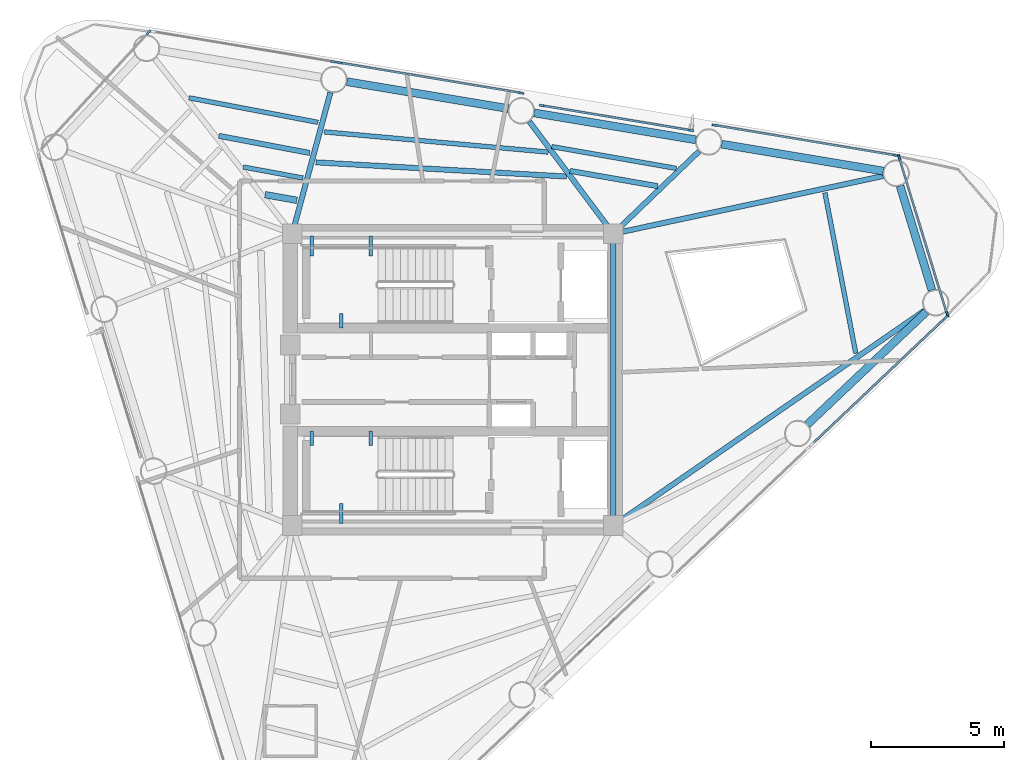
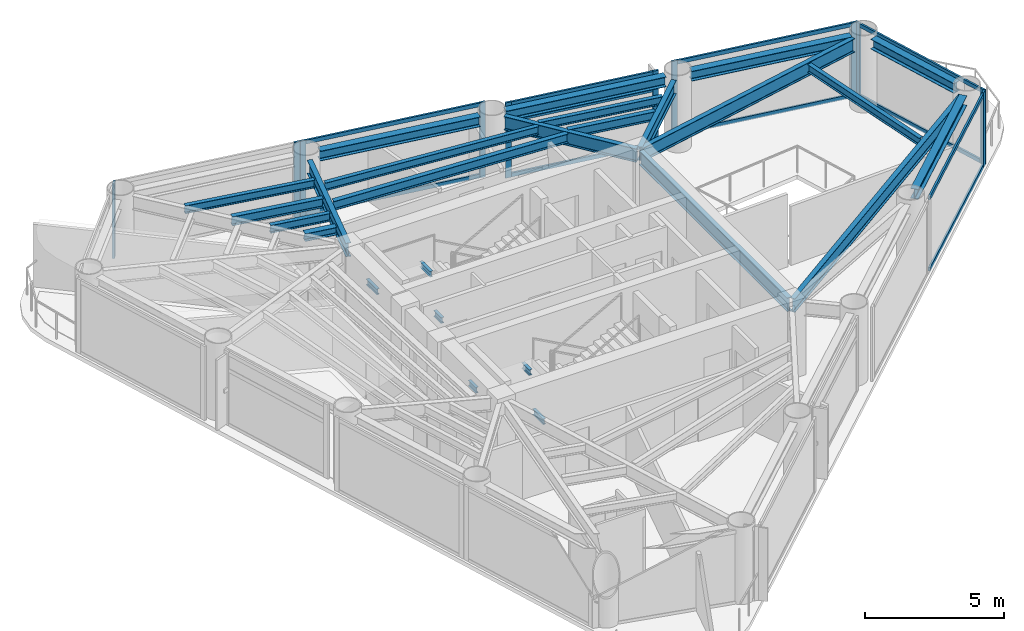
# One storey, part 3 of 8: 26 beams, 22 members, 7 elements without a shape of their own.
"""IFC4 building model written with IfcOpenShell, lengths in metres."""

from ifc_helpers import new_model, si_unit, direction, frame, origin, origin_2d, place, context, subcontext, project, spatial, rectangle, i_section, extrude, source, transform, mapped, material, layer, layer_set, material_profile, profile_set, type_object, element, aggregate, save


model = new_model("IFC4")

# Units and contexts
model_context = context("Model", 3, precision=1e-05, world=origin(), true_north=direction((0.0, 1.0)))
body_context = subcontext(model_context, "Body", "Model", "MODEL_VIEW")
ifc_project = project(units=[si_unit("LENGTHUNIT", "METRE"), si_unit("AREAUNIT", "SQUARE_METRE"), si_unit("VOLUMEUNIT", "CUBIC_METRE"), si_unit("PLANEANGLEUNIT", "RADIAN"), si_unit("MASSUNIT", "GRAM", prefix="KILO")], contexts=[model_context])

# Site, building, storey
site_placement = place(None, origin())
site = spatial("IfcSite", under=ifc_project, at=site_placement, CompositionType="ELEMENT")
building_placement = place(site_placement, origin())
building = spatial("IfcBuilding", under=site, at=building_placement, Name="Yunling Apex Tower", CompositionType="ELEMENT")
storey_placement = place(building_placement, frame((0.0, 0.0, 238.85009765625)))
storey = spatial("IfcBuildingStorey", under=building, at=storey_placement, Name="L58", CompositionType="ELEMENT", Elevation=238.85009765625)

# Beams
ifc_material_1 = material(Name="Steel Q355B", Category="steel")
ifc_material_profile_1 = material_profile(ifc_material_1, i_section(OverallWidth=0.125, OverallDepth=0.25, WebThickness=0.006103515625, FlangeThickness=0.009033203125, FilletRadius=0.011962890625, at=origin_2d()))
ifc_profile_set_1 = profile_set([ifc_material_profile_1], Name="Steel Q355B")
beam_type_1 = type_object("IfcBeamType", Name="BL-LNT-1", PredefinedType="LINTEL", material=ifc_profile_set_1)
shared_shape_1 = source(origin(), body_context, "Body", "SweptSolid", [
    extrude(i_section(OverallWidth=0.125, OverallDepth=0.25, WebThickness=0.006103515625, FlangeThickness=0.009033203125, FilletRadius=0.011962890625, at=origin_2d()), origin(), (0.0, 0.0, 1.0), 0.760009765625),
])
for number, where, z_axis, x_axis, name in (
    (1, (-5.320068359375, 5.419921875, 1.3798828125), (0.0, -1.0, 0.0), (1.0, 0.0, 0.0), "L58 ST-1 Landing Bearing Corbel 1-1"),
    (2, (-3.090087890625, 5.419921875, 1.3798828125), (0.0, -1.0, 0.0), (1.0, 0.0, 0.0), "L58 ST-1 Landing Bearing Corbel 1-2"),
    (3, (-4.205078125, -5.419921875, 1.3798828125), (0.0, 1.0, 0.0), (-1.0, 0.0, 0.0), "L58 ST-2 Landing Bearing Corbel 1-3"),
):
    element("IfcBeam", number, at=place(storey_placement, frame(where, z_axis=z_axis, x_axis=x_axis)), inside=storey, type_object=beam_type_1, Name=name, PredefinedType="LINTEL", context=body_context, shape_type="MappedRepresentation", body=[
        mapped(shared_shape_1, transform((0.0, 0.0, 0.0), scale=1.0)),
    ])
shared_shape_2 = source(origin(), body_context, "Body", "SweptSolid", [
    extrude(i_section(OverallWidth=0.125, OverallDepth=0.25, WebThickness=0.006103515625, FlangeThickness=0.009033203125, FilletRadius=0.011962890625, at=origin_2d()), origin(), (0.0, 0.0, 1.0), 0.550048828125),
])
for number, where, z_axis, x_axis, name in (
    (4, (-4.205078125, 1.93994140625, 1.3798828125), (0.0, 1.0, 0.0), (-1.0, 0.0, 0.0), "L58 ST-1 Landing Bearing Corbel 1-3"),
    (5, (-5.320068359375, -1.93994140625, 1.3798828125), (0.0, -1.0, 0.0), (1.0, 0.0, 0.0), "L58 ST-2 Landing Bearing Corbel 1-1"),
    (6, (-3.090087890625, -1.93994140625, 1.3798828125), (0.0, -1.0, 0.0), (1.0, 0.0, 0.0), "L58 ST-2 Landing Bearing Corbel 1-2"),
):
    element("IfcBeam", number, at=place(storey_placement, frame(where, z_axis=z_axis, x_axis=x_axis)), inside=storey, type_object=beam_type_1, Name=name, PredefinedType="LINTEL", context=body_context, shape_type="MappedRepresentation", body=[
        mapped(shared_shape_2, transform((0.0, 0.0, 0.0), scale=1.0)),
    ])
ifc_material_profile_2 = material_profile(ifc_material_1, i_section(OverallWidth=0.199951171875, OverallDepth=0.60009765625, WebThickness=0.010986328125, FlangeThickness=0.01708984375, FilletRadius=0.02197265625, at=origin_2d()))
ifc_profile_set_2 = profile_set([ifc_material_profile_2], Name="Steel Q355B")
beam_type_2 = type_object("IfcBeamType", Name="BG-PRI-5", PredefinedType="USERDEFINED", material=ifc_profile_set_2)
shared_shape_3 = source(origin(), body_context, "Body", "SweptSolid", [
    extrude(i_section(OverallWidth=0.199951171875, OverallDepth=0.60009765625, WebThickness=0.010986328125, FlangeThickness=0.01708984375, FilletRadius=0.02197265625, at=origin_2d()), origin(), (0.0, 0.0, 1.0), 10.7001953125),
])
beam_1_placement = place(storey_placement, frame((6.050048828125, -5.35009765625, 2.919921875), z_axis=(0.0, 1.0, 0.0), x_axis=(-1.0, 0.0, 0.0)))
element("IfcBeam", 7, at=beam_1_placement, inside=storey, type_object=beam_type_2, Name="L58 Core Ring Tie Beam 2", ObjectType="GIRDER", PredefinedType="USERDEFINED", context=body_context, shape_type="MappedRepresentation", body=[
    mapped(shared_shape_3, transform((0.0, 0.0, 0.0), scale=1.0)),
])
ifc_material_profile_3 = material_profile(ifc_material_1, i_section(OverallWidth=0.175048828125, OverallDepth=0.35009765625, WebThickness=0.007080078125, FlangeThickness=0.010986328125, FilletRadius=0.013916015625, at=origin_2d()))
ifc_profile_set_3 = profile_set([ifc_material_profile_3], Name="Steel Q355B")
beam_type_3 = type_object("IfcBeamType", Name="BJ-JST-1", PredefinedType="JOIST", material=ifc_profile_set_3)
shared_shape_4 = source(origin(), body_context, "Body", "SweptSolid", [
    extrude(i_section(OverallWidth=0.175048828125, OverallDepth=0.35009765625, WebThickness=0.007080078125, FlangeThickness=0.010986328125, FilletRadius=0.013916015625, at=origin_2d()), origin(), (0.0, 0.0, 1.0), 4.765869140625),
])
beam_2_placement = place(storey_placement, frame((8.42578125, 7.96142578125, 3.044921875), z_axis=(-0.985022420296, 0.17242630749, 0.0), x_axis=(-0.17242630749, -0.985022420296, 0.0)))
element("IfcBeam", 8, at=beam_2_placement, inside=storey, type_object=beam_type_3, Name="L58 Composite Floor Joist BJ1-7", PredefinedType="JOIST", context=body_context, shape_type="MappedRepresentation", body=[
    mapped(shared_shape_4, transform((0.0, 0.0, 0.0), scale=1.0)),
])
ifc_material_profile_4 = material_profile(ifc_material_1, i_section(OverallWidth=0.300048828125, OverallDepth=0.43994140625, WebThickness=0.010986328125, FlangeThickness=0.01806640625, FilletRadius=0.02197265625, at=origin_2d()))
ifc_profile_set_4 = profile_set([ifc_material_profile_4], Name="Steel Q355B")
beam_type_4 = type_object("IfcBeamType", Name="BP-SPN-3", PredefinedType="SPANDREL", material=ifc_profile_set_4)
shared_shape_5 = source(origin(), body_context, "Body", "SweptSolid", [
    extrude(i_section(OverallWidth=0.300048828125, OverallDepth=0.43994140625, WebThickness=0.010986328125, FlangeThickness=0.01806640625, FilletRadius=0.02197265625, at=origin_2d()), origin(), (0.0, 0.0, 1.0), 6.17333984375),
])
for number, where, z_axis, x_axis, name in (
    (9, (13.36572265625, -1.690185546875, 3.0), (0.725853952128, 0.687848849807, 0.0), (-0.687848849807, 0.725853952128, 0.0), "L58 Perimeter Spandrel Beam 4"),
    (10, (16.224853515625, 7.860595703125, 3.0), (-0.986400336233, 0.164360508275, 0.0), (-0.164360508275, -0.986400336233, 0.0), "L58 Perimeter Spandrel Beam 6"),
    (11, (9.160888671875, 9.03759765625, 3.0), (-0.986400336233, 0.164360508275, 0.0), (-0.164360508275, -0.986400336233, 0.0), "L58 Perimeter Spandrel Beam 7"),
    (12, (2.096923828125, 10.214599609375, 3.0), (-0.986393923832, 0.164398987305, 0.0), (-0.164398987305, -0.986393923832, 0.0), "L58 Perimeter Spandrel Beam 8"),
):
    element("IfcBeam", number, at=place(storey_placement, frame(where, z_axis=z_axis, x_axis=x_axis)), inside=storey, type_object=beam_type_4, Name=name, PredefinedType="SPANDREL", context=body_context, shape_type="MappedRepresentation", body=[
        mapped(shared_shape_5, transform((0.0, 0.0, 0.0), scale=1.0)),
    ])
shared_shape_6 = source(origin(), body_context, "Body", "SweptSolid", [
    extrude(i_section(OverallWidth=0.300048828125, OverallDepth=0.43994140625, WebThickness=0.010986328125, FlangeThickness=0.01806640625, FilletRadius=0.02197265625, at=origin_2d()), origin(), (0.0, 0.0, 1.0), 4.118408203125),
])
beam_3_placement = place(storey_placement, frame((18.060791015625, 3.368408203125, 3.0), z_axis=(-0.292369137572, 0.956305540816, 0.0), x_axis=(-0.956305540816, -0.292369137572, 0.0)))
element("IfcBeam", 13, at=beam_3_placement, inside=storey, type_object=beam_type_4, Name="L58 Perimeter Spandrel Beam 5", PredefinedType="SPANDREL", context=body_context, shape_type="MappedRepresentation", body=[
    mapped(shared_shape_6, transform((0.0, 0.0, 0.0), scale=1.0)),
])
shared_shape_7 = source(origin(), body_context, "Body", "SweptSolid", [
    extrude(i_section(OverallWidth=0.199951171875, OverallDepth=0.60009765625, WebThickness=0.010986328125, FlangeThickness=0.01708984375, FilletRadius=0.02197265625, at=origin_2d()), origin(), (0.0, 0.0, 1.0), 14.18505859375),
])
beam_4_placement = place(storey_placement, frame((17.787353515625, 2.607177734375, 2.919921875), z_axis=(-0.822805113414, -0.568323627294, 0.0), x_axis=(0.568323627294, -0.822805113414, 0.0)))
element("IfcBeam", 14, at=beam_4_placement, inside=storey, type_object=beam_type_2, Name="L58 Radial Primary Girder R05", ObjectType="GIRDER", PredefinedType="USERDEFINED", context=body_context, shape_type="MappedRepresentation", body=[
    mapped(shared_shape_7, transform((0.0, 0.0, 0.0), scale=1.0)),
])
shared_shape_8 = source(origin(), body_context, "Body", "SweptSolid", [
    extrude(i_section(OverallWidth=0.199951171875, OverallDepth=0.60009765625, WebThickness=0.010986328125, FlangeThickness=0.01708984375, FilletRadius=0.02197265625, at=origin_2d()), origin(), (0.0, 0.0, 1.0), 10.315185546875),
])
beam_5_placement = place(storey_placement, frame((16.21533203125, 7.673095703125, 2.919921875), z_axis=(-0.977902402009, -0.209061933755, 0.0), x_axis=(0.209061933755, -0.977902402009, 0.0)))
element("IfcBeam", 15, at=beam_5_placement, inside=storey, type_object=beam_type_2, Name="L58 Radial Primary Girder R06", ObjectType="GIRDER", PredefinedType="USERDEFINED", context=body_context, shape_type="MappedRepresentation", body=[
    mapped(shared_shape_8, transform((0.0, 0.0, 0.0), scale=1.0)),
])
shared_shape_9 = source(origin(), body_context, "Body", "SweptSolid", [
    extrude(i_section(OverallWidth=0.199951171875, OverallDepth=0.60009765625, WebThickness=0.010986328125, FlangeThickness=0.01708984375, FilletRadius=0.02197265625, at=origin_2d()), origin(), (0.0, 0.0, 1.0), 4.4013671875),
])
beam_6_placement = place(storey_placement, frame((9.28173828125, 8.6044921875, 2.919921875), z_axis=(-0.721164480273, -0.69276387925, 0.0), x_axis=(0.69276387925, -0.721164480273, 0.0)))
element("IfcBeam", 16, at=beam_6_placement, inside=storey, type_object=beam_type_2, Name="L58 Radial Primary Girder R07", ObjectType="GIRDER", PredefinedType="USERDEFINED", context=body_context, shape_type="MappedRepresentation", body=[
    mapped(shared_shape_9, transform((0.0, 0.0, 0.0), scale=1.0)),
])
shared_shape_10 = source(origin(), body_context, "Body", "SweptSolid", [
    extrude(i_section(OverallWidth=0.199951171875, OverallDepth=0.60009765625, WebThickness=0.010986328125, FlangeThickness=0.01708984375, FilletRadius=0.02197265625, at=origin_2d()), origin(), (0.0, 0.0, 1.0), 5.1982421875),
])
beam_7_placement = place(storey_placement, frame((2.888427734375, 9.726806640625, 2.919921875), z_axis=(0.598992593476, -0.800754564746, 0.0), x_axis=(0.800754564746, 0.598992593476, 0.0)))
element("IfcBeam", 17, at=beam_7_placement, inside=storey, type_object=beam_type_2, Name="L58 Radial Primary Girder R08", ObjectType="GIRDER", PredefinedType="USERDEFINED", context=body_context, shape_type="MappedRepresentation", body=[
    mapped(shared_shape_10, transform((0.0, 0.0, 0.0), scale=1.0)),
])
shared_shape_11 = source(origin(), body_context, "Body", "SweptSolid", [
    extrude(i_section(OverallWidth=0.199951171875, OverallDepth=0.60009765625, WebThickness=0.010986328125, FlangeThickness=0.01708984375, FilletRadius=0.02197265625, at=origin_2d()), origin(), (0.0, 0.0, 1.0), 5.43115234375),
])
beam_8_placement = place(storey_placement, frame((-4.6123046875, 10.8203125, 2.919921875), z_axis=(-0.26085354679, -0.965378385467, 0.0), x_axis=(0.965378385467, -0.26085354679, 0.0)))
element("IfcBeam", 18, at=beam_8_placement, inside=storey, type_object=beam_type_2, Name="L58 Radial Primary Girder R09", ObjectType="GIRDER", PredefinedType="USERDEFINED", context=body_context, shape_type="MappedRepresentation", body=[
    mapped(shared_shape_11, transform((0.0, 0.0, 0.0), scale=1.0)),
])
shared_shape_12 = source(origin(), body_context, "Body", "SweptSolid", [
    extrude(i_section(OverallWidth=0.175048828125, OverallDepth=0.35009765625, WebThickness=0.007080078125, FlangeThickness=0.010986328125, FilletRadius=0.013916015625, at=origin_2d()), origin(), (0.0, 0.0, 1.0), 6.16162109375),
])
beam_9_placement = place(storey_placement, frame((15.189453125, 0.99072265625, 3.044921875), z_axis=(-0.188765094227, 0.982022270217, 0.0), x_axis=(-0.982022270217, -0.188765094227, 0.0)))
element("IfcBeam", 19, at=beam_9_placement, inside=storey, type_object=beam_type_3, Name="L58 Composite Floor Joist BJ1-5", PredefinedType="JOIST", context=body_context, shape_type="MappedRepresentation", body=[
    mapped(shared_shape_12, transform((0.0, 0.0, 0.0), scale=1.0)),
])
ifc_material_profile_5 = material_profile(ifc_material_1, i_section(OverallWidth=0.199951171875, OverallDepth=0.39990234375, WebThickness=0.008056640625, FlangeThickness=0.012939453125, FilletRadius=0.01611328125, at=origin_2d()))
ifc_profile_set_5 = profile_set([ifc_material_profile_5], Name="Steel Q355B")
beam_type_5 = type_object("IfcBeamType", Name="BS-SEC-4", PredefinedType="BEAM", material=ifc_profile_set_5)
shared_shape_13 = source(origin(), body_context, "Body", "SweptSolid", [
    extrude(i_section(OverallWidth=0.199951171875, OverallDepth=0.39990234375, WebThickness=0.008056640625, FlangeThickness=0.012939453125, FilletRadius=0.01611328125, at=origin_2d()), origin(), (0.0, 0.0, 1.0), 3.361572265625),
])
beam_10_placement = place(storey_placement, frame((7.7275390625, 7.290283203125, 3.02001953125), z_axis=(-0.985137567958, 0.171767203496, 0.0), x_axis=(-0.171767203496, -0.985137567958, 0.0)))
element("IfcBeam", 20, at=beam_10_placement, inside=storey, type_object=beam_type_5, Name="L58 Composite Floor Beam BS-7", PredefinedType="BEAM", context=body_context, shape_type="MappedRepresentation", body=[
    mapped(shared_shape_13, transform((0.0, 0.0, 0.0), scale=1.0)),
])
shared_shape_14 = source(origin(), body_context, "Body", "SweptSolid", [
    extrude(i_section(OverallWidth=0.199951171875, OverallDepth=0.39990234375, WebThickness=0.008056640625, FlangeThickness=0.012939453125, FilletRadius=0.01611328125, at=origin_2d()), origin(), (0.0, 0.0, 1.0), 9.461669921875),
])
beam_11_placement = place(storey_placement, frame((4.28564453125, 7.654541015625, 3.02001953125), z_axis=(-0.998399180074, 0.05656038567, 0.0), x_axis=(-0.05656038567, -0.998399180074, 0.0)))
element("IfcBeam", 21, at=beam_11_placement, inside=storey, type_object=beam_type_5, Name="L58 Composite Floor Beam BS-8", PredefinedType="BEAM", context=body_context, shape_type="MappedRepresentation", body=[
    mapped(shared_shape_14, transform((0.0, 0.0, 0.0), scale=1.0)),
])
shared_shape_15 = source(origin(), body_context, "Body", "SweptSolid", [
    extrude(i_section(OverallWidth=0.175048828125, OverallDepth=0.35009765625, WebThickness=0.007080078125, FlangeThickness=0.010986328125, FilletRadius=0.013916015625, at=origin_2d()), origin(), (0.0, 0.0, 1.0), 8.485107421875),
])
beam_12_placement = place(storey_placement, frame((3.60107421875, 8.575439453125, 3.044921875), z_axis=(-0.995954531999, 0.089858612221, 0.0), x_axis=(-0.089858612221, -0.995954531999, 0.0)))
element("IfcBeam", 22, at=beam_12_placement, inside=storey, type_object=beam_type_3, Name="L58 Composite Floor Joist BJ1-8", PredefinedType="JOIST", context=body_context, shape_type="MappedRepresentation", body=[
    mapped(shared_shape_15, transform((0.0, 0.0, 0.0), scale=1.0)),
])
shared_shape_16 = source(origin(), body_context, "Body", "SweptSolid", [
    extrude(i_section(OverallWidth=0.199951171875, OverallDepth=0.39990234375, WebThickness=0.008056640625, FlangeThickness=0.012939453125, FilletRadius=0.01611328125, at=origin_2d()), origin(), (0.0, 0.0, 1.0), 3.482421875),
])
beam_13_placement = place(storey_placement, frame((-5.392822265625, 8.54296875, 3.02001953125), z_axis=(-0.98272425545, 0.185075762191, 0.0), x_axis=(-0.185075762191, -0.98272425545, 0.0)))
element("IfcBeam", 23, at=beam_13_placement, inside=storey, type_object=beam_type_5, Name="L58 Composite Floor Beam BS-9", PredefinedType="BEAM", context=body_context, shape_type="MappedRepresentation", body=[
    mapped(shared_shape_16, transform((0.0, 0.0, 0.0), scale=1.0)),
])
shared_shape_17 = source(origin(), body_context, "Body", "SweptSolid", [
    extrude(i_section(OverallWidth=0.175048828125, OverallDepth=0.35009765625, WebThickness=0.007080078125, FlangeThickness=0.010986328125, FilletRadius=0.013916015625, at=origin_2d()), origin(), (0.0, 0.0, 1.0), 4.949951171875),
])
beam_14_placement = place(storey_placement, frame((-5.081298828125, 9.69677734375, 3.044921875), z_axis=(-0.982345041362, 0.187078111256, 0.0), x_axis=(-0.187078111256, -0.982345041362, 0.0)))
element("IfcBeam", 24, at=beam_14_placement, inside=storey, type_object=beam_type_3, Name="L58 Composite Floor Joist BJ1-9", PredefinedType="JOIST", context=body_context, shape_type="MappedRepresentation", body=[
    mapped(shared_shape_17, transform((0.0, 0.0, 0.0), scale=1.0)),
])
shared_shape_18 = source(origin(), body_context, "Body", "SweptSolid", [
    extrude(i_section(OverallWidth=0.175048828125, OverallDepth=0.35009765625, WebThickness=0.007080078125, FlangeThickness=0.010986328125, FilletRadius=0.013916015625, at=origin_2d()), origin(), (0.0, 0.0, 1.0), 2.28173828125),
])
beam_15_placement = place(storey_placement, frame((-5.64794921875, 7.5986328125, 3.044921875), z_axis=(-0.983336596367, 0.181794219503, 0.0), x_axis=(-0.181794219503, -0.983336596367, 0.0)))
element("IfcBeam", 25, at=beam_15_placement, inside=storey, type_object=beam_type_3, Name="L58 Composite Floor Joist BJ3-9", PredefinedType="JOIST", context=body_context, shape_type="MappedRepresentation", body=[
    mapped(shared_shape_18, transform((0.0, 0.0, 0.0), scale=1.0)),
])
ifc_material_profile_6 = material_profile(ifc_material_1, i_section(OverallWidth=0.25, OverallDepth=0.340087890625, WebThickness=0.009033203125, FlangeThickness=0.013916015625, FilletRadius=0.01806640625, at=origin_2d()))
ifc_profile_set_6 = profile_set([ifc_material_profile_6], Name="Steel Q355B")
beam_type_6 = type_object("IfcBeamType", Name="BJ-JST-2", PredefinedType="JOIST", material=ifc_profile_set_6)
shared_shape_19 = source(origin(), body_context, "Body", "SweptSolid", [
    extrude(i_section(OverallWidth=0.25, OverallDepth=0.340087890625, WebThickness=0.009033203125, FlangeThickness=0.013916015625, FilletRadius=0.01806640625, at=origin_2d()), origin(), (0.0, 0.0, 1.0), 1.214111328125),
])
beam_16_placement = place(storey_placement, frame((-5.875, 6.758544921875, 3.0498046875), z_axis=(-0.98465170233, 0.174530871477, 0.0), x_axis=(-0.174530871477, -0.98465170233, 0.0)))
element("IfcBeam", 26, at=beam_16_placement, inside=storey, type_object=beam_type_6, Name="L58 Composite Floor Joist BJ2-9", PredefinedType="JOIST", context=body_context, shape_type="MappedRepresentation", body=[
    mapped(shared_shape_19, transform((0.0, 0.0, 0.0), scale=1.0)),
])

# Curtain wall, members
ifc_material_2 = material(Name="Bronze anodised aluminium", Category="aluminium")
ifc_layer = layer(ifc_material_2, 0.219970703125)
ifc_layer_set = layer_set([ifc_layer], Name="Bronze anodised aluminium")
curtain_wall_type = type_object("IfcCurtainWallType", Name="CW-SYS-4", PredefinedType="NOTDEFINED", material=ifc_layer_set)
curtain_wall_1_placement = place(storey_placement, origin())
curtain_wall_1 = element("IfcCurtainWall", 27, at=curtain_wall_1_placement, inside=storey, type_object=curtain_wall_type, Name="CW-L58-F1-B4", PredefinedType="NOTDEFINED")
ifc_material_profile_7 = material_profile(ifc_material_2, rectangle(XDim=0.080078125, YDim=0.169921875, at=origin_2d()))
ifc_profile_set_7 = profile_set([ifc_material_profile_7], Name="Bronze anodised aluminium")
member_type_1 = type_object("IfcMemberType", Name="CW-TRN-4", PredefinedType="USERDEFINED", material=ifc_profile_set_7)
shared_shape_20 = source(origin(), body_context, "Body", "SweptSolid", [
    extrude(rectangle(XDim=0.080078125, YDim=0.169921875, at=origin_2d()), origin(), (0.0, 0.0, 1.0), 6.849365234375),
])
member_1_placement = place(storey_placement, frame((13.574462890625, -2.40185546875, 0.039794921875), z_axis=(0.725849647065, 0.687853392705, 0.0), x_axis=(-0.687853392705, 0.725849647065, 0.0)))
member_1 = element("IfcMember", 28, at=member_1_placement, type_object=member_type_1, Name="CW-SYS-4 transom 1.1", ObjectType="TRANSOM", PredefinedType="USERDEFINED", context=body_context, shape_type="MappedRepresentation", body=[
    mapped(shared_shape_20, transform((0.0, 0.0, 0.0), scale=1.0)),
])
member_2_placement = place(storey_placement, frame((13.574462890625, -2.40185546875, 3.179931640625), z_axis=(0.725849647065, 0.687853392705, 0.0), x_axis=(-0.687853392705, 0.725849647065, 0.0)))
member_2 = element("IfcMember", 29, at=member_2_placement, type_object=member_type_1, Name="CW-SYS-4 transom 1.2", ObjectType="TRANSOM", PredefinedType="USERDEFINED", context=body_context, shape_type="MappedRepresentation", body=[
    mapped(shared_shape_20, transform((0.0, 0.0, 0.0), scale=1.0)),
])

curtain_wall_2_placement = place(storey_placement, origin())
curtain_wall_2 = element("IfcCurtainWall", 30, at=curtain_wall_2_placement, inside=storey, type_object=curtain_wall_type, Name="CW-L58-F2-B1", PredefinedType="NOTDEFINED")
member_3_placement = place(storey_placement, frame((16.666748046875, 8.456298828125, 0.039794921875), z_axis=(-0.986400666628, 0.164358525415, 0.0), x_axis=(-0.164358525415, -0.986400666628, 0.0)))
member_3 = element("IfcMember", 31, at=member_3_placement, type_object=member_type_1, Name="CW-SYS-4 transom 1.1", ObjectType="TRANSOM", PredefinedType="USERDEFINED", context=body_context, shape_type="MappedRepresentation", body=[
    mapped(shared_shape_20, transform((0.0, 0.0, 0.0), scale=1.0)),
])
member_4_placement = place(storey_placement, frame((16.666748046875, 8.456298828125, 3.179931640625), z_axis=(-0.986400666628, 0.164358525415, 0.0), x_axis=(-0.164358525415, -0.986400666628, 0.0)))
member_4 = element("IfcMember", 32, at=member_4_placement, type_object=member_type_1, Name="CW-SYS-4 transom 1.2", ObjectType="TRANSOM", PredefinedType="USERDEFINED", context=body_context, shape_type="MappedRepresentation", body=[
    mapped(shared_shape_20, transform((0.0, 0.0, 0.0), scale=1.0)),
])

curtain_wall_3_placement = place(storey_placement, origin())
curtain_wall_3 = element("IfcCurtainWall", 33, at=curtain_wall_3_placement, inside=storey, type_object=curtain_wall_type, Name="CW-L58-CRN1", PredefinedType="NOTDEFINED")
shared_shape_21 = source(origin(), body_context, "Body", "SweptSolid", [
    extrude(rectangle(XDim=0.080078125, YDim=0.169921875, at=origin_2d()), origin(), (0.0, 0.0, 1.0), 6.100830078125),
])
member_5_placement = place(storey_placement, frame((18.623291015625, 2.50390625, 0.039794921875), z_axis=(-0.292370017789, 0.956305271709, 0.0), x_axis=(-0.956305271709, -0.292370017789, 0.0)))
member_5 = element("IfcMember", 34, at=member_5_placement, type_object=member_type_1, Name="CW-SYS-4 transom 1.1", ObjectType="TRANSOM", PredefinedType="USERDEFINED", context=body_context, shape_type="MappedRepresentation", body=[
    mapped(shared_shape_21, transform((0.0, 0.0, 0.0), scale=1.0)),
])
member_6_placement = place(storey_placement, frame((18.623291015625, 2.50390625, 3.179931640625), z_axis=(-0.292370017789, 0.956305271709, 0.0), x_axis=(-0.956305271709, -0.292370017789, 0.0)))
member_6 = element("IfcMember", 35, at=member_6_placement, type_object=member_type_1, Name="CW-SYS-4 transom 1.2", ObjectType="TRANSOM", PredefinedType="USERDEFINED", context=body_context, shape_type="MappedRepresentation", body=[
    mapped(shared_shape_21, transform((0.0, 0.0, 0.0), scale=1.0)),
])

curtain_wall_4_placement = place(storey_placement, origin())
curtain_wall_4 = element("IfcCurtainWall", 36, at=curtain_wall_4_placement, inside=storey, type_object=curtain_wall_type, Name="CW-L58-F2-B2", PredefinedType="NOTDEFINED")
shared_shape_22 = source(origin(), body_context, "Body", "SweptSolid", [
    extrude(rectangle(XDim=0.080078125, YDim=0.169921875, at=origin_2d()), origin(), (0.0, 0.0, 1.0), 5.609375),
])
member_7_placement = place(storey_placement, frame((8.935302734375, 9.399658203125, 0.039794921875), z_axis=(-0.986395100144, 0.164391929279, 0.0), x_axis=(-0.164391929279, -0.986395100144, 0.0)))
member_7 = element("IfcMember", 37, at=member_7_placement, type_object=member_type_1, Name="CW-SYS-4 transom 1.1", ObjectType="TRANSOM", PredefinedType="USERDEFINED", context=body_context, shape_type="MappedRepresentation", body=[
    mapped(shared_shape_22, transform((0.0, 0.0, 0.0), scale=1.0)),
])
member_8_placement = place(storey_placement, frame((8.935302734375, 9.399658203125, 2.447021484375), z_axis=(-0.986395100144, 0.164391929279, 0.0), x_axis=(-0.164391929279, -0.986395100144, 0.0)))
member_8 = element("IfcMember", 38, at=member_8_placement, type_object=member_type_1, Name="CW-SYS-4 transom 1.2", ObjectType="TRANSOM", PredefinedType="USERDEFINED", context=body_context, shape_type="MappedRepresentation", body=[
    mapped(shared_shape_22, transform((0.0, 0.0, 0.0), scale=1.0)),
])
member_9_placement = place(storey_placement, frame((8.935302734375, 9.399658203125, 3.179931640625), z_axis=(-0.986395100144, 0.164391929279, 0.0), x_axis=(-0.164391929279, -0.986395100144, 0.0)))
member_9 = element("IfcMember", 39, at=member_9_placement, type_object=member_type_1, Name="CW-SYS-4 transom 1.3", ObjectType="TRANSOM", PredefinedType="USERDEFINED", context=body_context, shape_type="MappedRepresentation", body=[
    mapped(shared_shape_22, transform((0.0, 0.0, 0.0), scale=1.0)),
])

curtain_wall_5_placement = place(storey_placement, origin())
curtain_wall_5 = element("IfcCurtainWall", 40, at=curtain_wall_5_placement, inside=storey, type_object=curtain_wall_type, Name="CW-L58-F2-B3", PredefinedType="NOTDEFINED")
shared_shape_23 = source(origin(), body_context, "Body", "SweptSolid", [
    extrude(rectangle(XDim=0.080078125, YDim=0.169921875, at=origin_2d()), origin(), (0.0, 0.0, 1.0), 6.849609375),
])
member_10_placement = place(storey_placement, frame((2.538818359375, 10.810302734375, 0.039794921875), z_axis=(-0.986401629478, 0.164352746749, 0.0), x_axis=(-0.164352746749, -0.986401629478, 0.0)))
member_10 = element("IfcMember", 41, at=member_10_placement, type_object=member_type_1, Name="CW-SYS-4 transom 1.1", ObjectType="TRANSOM", PredefinedType="USERDEFINED", context=body_context, shape_type="MappedRepresentation", body=[
    mapped(shared_shape_23, transform((0.0, 0.0, 0.0), scale=1.0)),
])
member_11_placement = place(storey_placement, frame((2.538818359375, 10.810302734375, 3.179931640625), z_axis=(-0.986401629478, 0.164352746749, 0.0), x_axis=(-0.164352746749, -0.986401629478, 0.0)))
member_11 = element("IfcMember", 42, at=member_11_placement, type_object=member_type_1, Name="CW-SYS-4 transom 1.2", ObjectType="TRANSOM", PredefinedType="USERDEFINED", context=body_context, shape_type="MappedRepresentation", body=[
    mapped(shared_shape_23, transform((0.0, 0.0, 0.0), scale=1.0)),
])

# Member
ifc_material_profile_8 = material_profile(ifc_material_2, rectangle(XDim=0.080078125, YDim=0.219970703125, at=origin_2d()))
ifc_profile_set_8 = profile_set([ifc_material_profile_8], Name="Bronze anodised aluminium")
member_type_2 = type_object("IfcMemberType", Name="CW-MUL-4", PredefinedType="MULLION", material=ifc_profile_set_8)
shared_shape_24 = source(origin(), body_context, "Body", "SweptSolid", [
    extrude(rectangle(XDim=0.080078125, YDim=0.219970703125, at=origin_2d()), origin(), (0.0, 0.0, 1.0), 3.320068359375),
])
member_12_placement = place(storey_placement, frame((18.572265625, 2.334228515625, -0.050048828125), z_axis=(0.0, 0.0, 1.0), x_axis=(-0.687848040467, 0.72585471909, 0.0)))
member_12 = element("IfcMember", 43, at=member_12_placement, type_object=member_type_2, Name="CW-SYS-4 mullion 2", PredefinedType="MULLION", context=body_context, shape_type="MappedRepresentation", body=[
    mapped(shared_shape_24, transform((0.0, 0.0, 0.0), scale=1.0)),
])

aggregate(curtain_wall_1, [member_12, member_1, member_2])

member_13_placement = place(storey_placement, frame((18.6337890625, 2.469482421875, -0.050048828125), z_axis=(0.0, 0.0, 1.0), x_axis=(-0.956305498685, -0.292369275379, 0.0)))
member_13 = element("IfcMember", 44, at=member_13_placement, type_object=member_type_2, Name="CW-SYS-4 mullion 1", PredefinedType="MULLION", context=body_context, shape_type="MappedRepresentation", body=[
    mapped(shared_shape_24, transform((0.0, 0.0, 0.0), scale=1.0)),
])

member_14_placement = place(storey_placement, frame((16.8291015625, 8.37255859375, -0.050048828125), z_axis=(0.0, 0.0, 1.0), x_axis=(-0.956305498685, -0.292369275379, 0.0)))
member_14 = element("IfcMember", 45, at=member_14_placement, type_object=member_type_2, Name="CW-SYS-4 mullion 2", PredefinedType="MULLION", context=body_context, shape_type="MappedRepresentation", body=[
    mapped(shared_shape_24, transform((0.0, 0.0, 0.0), scale=1.0)),
])

aggregate(curtain_wall_3, [member_13, member_14, member_5, member_6])

member_15_placement = place(storey_placement, frame((16.702392578125, 8.4501953125, -0.050048828125), z_axis=(0.0, 0.0, 1.0), x_axis=(-0.164352664392, -0.9864016432, 0.0)))
member_15 = element("IfcMember", 46, at=member_15_placement, type_object=member_type_2, Name="CW-SYS-4 mullion 1", PredefinedType="MULLION", context=body_context, shape_type="MappedRepresentation", body=[
    mapped(shared_shape_24, transform((0.0, 0.0, 0.0), scale=1.0)),
])

member_16_placement = place(storey_placement, frame((9.875, 9.587890625, -0.050048828125), z_axis=(0.0, 0.0, 1.0), x_axis=(-0.164352664392, -0.9864016432, 0.0)))
member_16 = element("IfcMember", 47, at=member_16_placement, type_object=member_type_2, Name="CW-SYS-4 mullion 2", PredefinedType="MULLION", context=body_context, shape_type="MappedRepresentation", body=[
    mapped(shared_shape_24, transform((0.0, 0.0, 0.0), scale=1.0)),
])

aggregate(curtain_wall_2, [member_15, member_16, member_3, member_4])

member_17_placement = place(storey_placement, frame((8.970947265625, 9.393798828125, -0.050048828125), z_axis=(0.0, 0.0, 1.0), x_axis=(-0.164370840747, -0.986398614513, 0.0)))
member_17 = element("IfcMember", 48, at=member_17_placement, type_object=member_type_2, Name="CW-SYS-4 mullion 1", PredefinedType="MULLION", context=body_context, shape_type="MappedRepresentation", body=[
    mapped(shared_shape_24, transform((0.0, 0.0, 0.0), scale=1.0)),
])

member_18_placement = place(storey_placement, frame((3.36669921875, 10.32763671875, -0.050048828125), z_axis=(0.0, 0.0, 1.0), x_axis=(-0.164370840747, -0.986398614513, 0.0)))
member_18 = element("IfcMember", 49, at=member_18_placement, type_object=member_type_2, Name="CW-SYS-4 mullion 2", PredefinedType="MULLION", context=body_context, shape_type="MappedRepresentation", body=[
    mapped(shared_shape_24, transform((0.0, 0.0, 0.0), scale=1.0)),
])

aggregate(curtain_wall_4, [member_17, member_18, member_7, member_8, member_9])

member_19_placement = place(storey_placement, frame((2.574462890625, 10.804443359375, -0.050048828125), z_axis=(0.0, 0.0, 1.0), x_axis=(-0.164352664392, -0.9864016432, 0.0)))
member_19 = element("IfcMember", 50, at=member_19_placement, type_object=member_type_2, Name="CW-SYS-4 mullion 1", PredefinedType="MULLION", context=body_context, shape_type="MappedRepresentation", body=[
    mapped(shared_shape_24, transform((0.0, 0.0, 0.0), scale=1.0)),
])

member_20_placement = place(storey_placement, frame((-4.2529296875, 11.94189453125, -0.050048828125), z_axis=(0.0, 0.0, 1.0), x_axis=(-0.164352664392, -0.9864016432, 0.0)))
member_20 = element("IfcMember", 51, at=member_20_placement, type_object=member_type_2, Name="CW-SYS-4 mullion 2", PredefinedType="MULLION", context=body_context, shape_type="MappedRepresentation", body=[
    mapped(shared_shape_24, transform((0.0, 0.0, 0.0), scale=1.0)),
])

aggregate(curtain_wall_5, [member_19, member_20, member_10, member_11])

# Curtain wall, member
curtain_wall_6_placement = place(storey_placement, origin())
curtain_wall_6 = element("IfcCurtainWall", 52, at=curtain_wall_6_placement, inside=storey, type_object=curtain_wall_type, Name="CW-L58-F2-B4", PredefinedType="NOTDEFINED")
member_21_placement = place(storey_placement, frame((-4.48974609375, 11.9814453125, -0.050048828125), z_axis=(0.0, 0.0, 1.0), x_axis=(-0.164352664392, -0.9864016432, 0.0)))
member_21 = element("IfcMember", 53, at=member_21_placement, type_object=member_type_2, Name="CW-SYS-4 mullion 1", PredefinedType="MULLION", context=body_context, shape_type="MappedRepresentation", body=[
    mapped(shared_shape_24, transform((0.0, 0.0, 0.0), scale=1.0)),
])
aggregate(curtain_wall_6, [member_21])

curtain_wall_7_placement = place(storey_placement, origin())
curtain_wall_7 = element("IfcCurtainWall", 54, at=curtain_wall_7_placement, inside=storey, type_object=curtain_wall_type, Name="CW-L58-CRN2", PredefinedType="NOTDEFINED")
member_22_placement = place(storey_placement, frame((-11.465576171875, 13.08935546875, -0.050048828125), z_axis=(0.0, 0.0, 1.0), x_axis=(0.736133922549, -0.676835909266, 0.0)))
member_22 = element("IfcMember", 55, at=member_22_placement, type_object=member_type_2, Name="CW-SYS-4 mullion 1", PredefinedType="MULLION", context=body_context, shape_type="MappedRepresentation", body=[
    mapped(shared_shape_24, transform((0.0, 0.0, 0.0), scale=1.0)),
])
aggregate(curtain_wall_7, [member_22])

save(model, "model.ifc")
